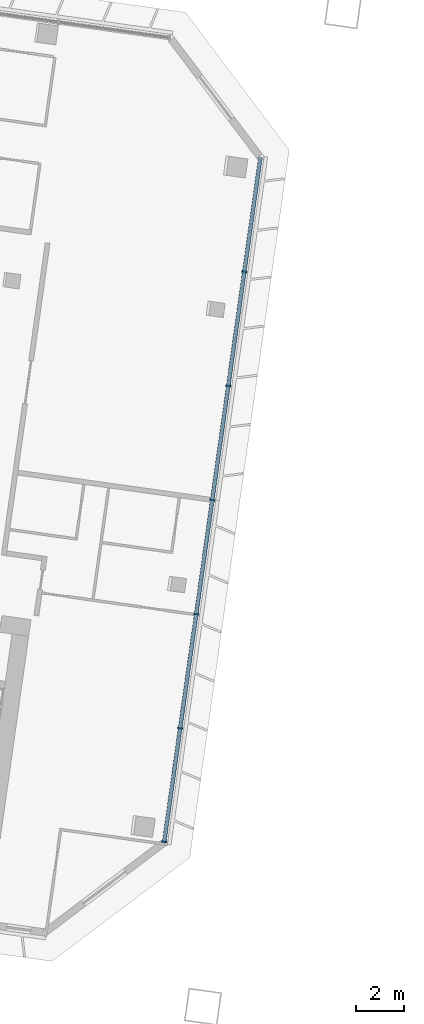
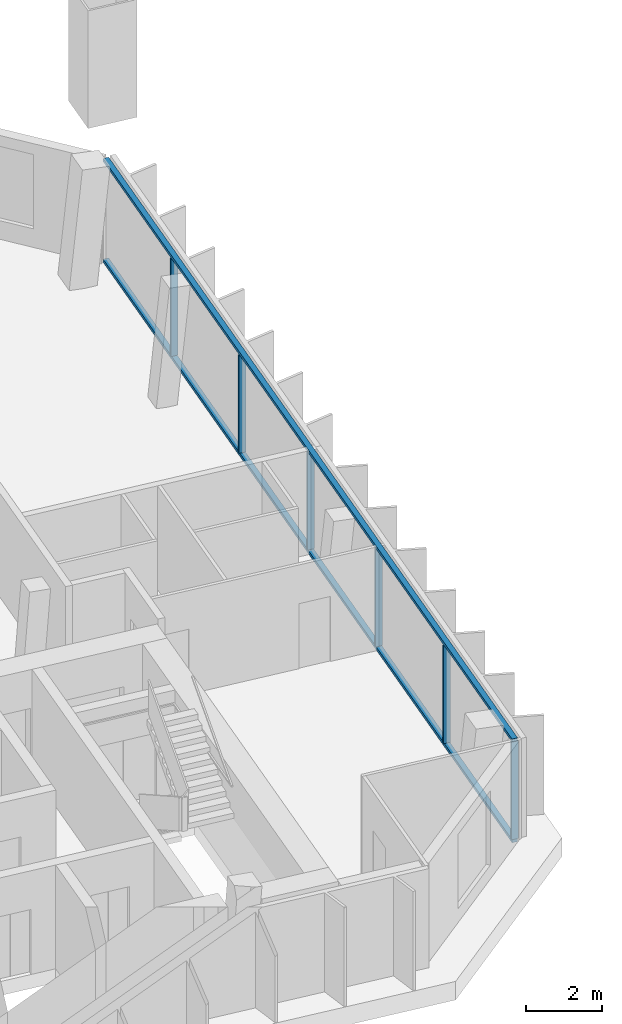
# One storey, part 3 of 23: 8 members, 1 element without a shape of its own.
"""IFC4 building model written with IfcOpenShell, lengths in metres."""

from ifc_helpers import new_model, si_unit, direction, frame, origin, origin_2d, place, context, subcontext, project, spatial, rectangle, extrude, material, material_profile, profile_set, type_object, element, aggregate, save


model = new_model("IFC4")

# Units and contexts
model_context = context("Model", 3, precision=1e-05, world=origin(), true_north=direction((0.0, 1.0)))
body_context = subcontext(model_context, "Body", "Model", "MODEL_VIEW")
ifc_project = project(units=[si_unit("LENGTHUNIT", "METRE"), si_unit("AREAUNIT", "SQUARE_METRE"), si_unit("VOLUMEUNIT", "CUBIC_METRE"), si_unit("PLANEANGLEUNIT", "RADIAN"), si_unit("MASSUNIT", "GRAM", prefix="KILO")], contexts=[model_context])

# Site, building, storey
site_placement = place(None, origin())
site = spatial("IfcSite", under=ifc_project, at=site_placement, CompositionType="ELEMENT")
building_placement = place(site_placement, origin())
building = spatial("IfcBuilding", under=site, at=building_placement, Name="Mirante Cascada Hotel Towers", CompositionType="ELEMENT")
storey_placement = place(building_placement, frame((0.0, 0.0, 195.4)))
storey = spatial("IfcBuildingStorey", under=building, at=storey_placement, Name="L46", CompositionType="ELEMENT", Elevation=195.4)

# Curtain wall, members
ifc_material_1 = material(Name="Aluminium mullion and transom frame with clear laminated glass", Category="aluminium")
curtain_wall_type = type_object("IfcCurtainWallType", Name="End ribbon curtain wall ECW2", PredefinedType="NOTDEFINED", material=ifc_material_1)
curtain_wall_placement = place(storey_placement, origin())
curtain_wall = element("IfcCurtainWall", 1, at=curtain_wall_placement, inside=storey, type_object=curtain_wall_type, Name="Inner end wall T1 L46", PredefinedType="NOTDEFINED")
ifc_material_2 = material(Name="Anodised aluminium extrusion", Category="aluminium")
ifc_material_profile_1 = material_profile(ifc_material_2, rectangle(XDim=0.2, YDim=0.065, at=origin_2d()), Name="ECW2 MULLION 65x200")
ifc_profile_set_1 = profile_set([ifc_material_profile_1], Name="Anodised aluminium extrusion")
member_type_1 = type_object("IfcMemberType", Name="ECW2 mullion 65x200", PredefinedType="MULLION", material=ifc_profile_set_1)
member_1_placement = place(storey_placement, frame((-26.5851, 7.2399, 0.1), z_axis=(0.0, 0.0, 1.0), x_axis=(0.9902681, -0.1391731, 0.0)))
member_1 = element("IfcMember", 2, at=member_1_placement, type_object=member_type_1, Name="ECW2 mullion 2", PredefinedType="MULLION", context=body_context, shape_type="SweptSolid", body=[
    extrude(rectangle(XDim=0.2, YDim=0.065, at=origin_2d()), origin(), (0.0, 0.0, 1.0), 3.15),
])
member_2_placement = place(storey_placement, frame((-27.2549, 2.4741, 0.1), z_axis=(0.0, 0.0, 1.0), x_axis=(0.9902681, -0.1391731, 0.0)))
member_2 = element("IfcMember", 3, at=member_2_placement, type_object=member_type_1, Name="ECW2 mullion 3", PredefinedType="MULLION", context=body_context, shape_type="SweptSolid", body=[
    extrude(rectangle(XDim=0.2, YDim=0.065, at=origin_2d()), origin(), (0.0, 0.0, 1.0), 3.15),
])
member_3_placement = place(storey_placement, frame((-27.9247, -2.2917, 0.1), z_axis=(0.0, 0.0, 1.0), x_axis=(0.9902681, -0.1391731, 0.0)))
member_3 = element("IfcMember", 4, at=member_3_placement, type_object=member_type_1, Name="ECW2 mullion 4", PredefinedType="MULLION", context=body_context, shape_type="SweptSolid", body=[
    extrude(rectangle(XDim=0.2, YDim=0.065, at=origin_2d()), origin(), (0.0, 0.0, 1.0), 3.15),
])
member_4_placement = place(storey_placement, frame((-28.5945, -7.0575, 0.1), z_axis=(0.0, 0.0, 1.0), x_axis=(0.9902681, -0.1391731, 0.0)))
member_4 = element("IfcMember", 5, at=member_4_placement, type_object=member_type_1, Name="ECW2 mullion 5", PredefinedType="MULLION", context=body_context, shape_type="SweptSolid", body=[
    extrude(rectangle(XDim=0.2, YDim=0.065, at=origin_2d()), origin(), (0.0, 0.0, 1.0), 3.15),
])
member_5_placement = place(storey_placement, frame((-29.2643, -11.8232, 0.1), z_axis=(0.0, 0.0, 1.0), x_axis=(0.9902681, -0.1391731, 0.0)))
member_5 = element("IfcMember", 6, at=member_5_placement, type_object=member_type_1, Name="ECW2 mullion 6", PredefinedType="MULLION", context=body_context, shape_type="SweptSolid", body=[
    extrude(rectangle(XDim=0.2, YDim=0.065, at=origin_2d()), origin(), (0.0, 0.0, 1.0), 3.15),
])
member_6_placement = place(storey_placement, frame((-29.9295, -16.5568, 0.1), z_axis=(0.0, 0.0, 1.0), x_axis=(0.9902681, -0.1391731, 0.0)))
member_6 = element("IfcMember", 7, at=member_6_placement, type_object=member_type_1, Name="ECW2 mullion 7", PredefinedType="MULLION", context=body_context, shape_type="SweptSolid", body=[
    extrude(rectangle(XDim=0.2, YDim=0.065, at=origin_2d()), origin(), (0.0, 0.0, 1.0), 3.15),
])
ifc_material_3 = material(Name="Anodised aluminium extrusion", Category="aluminium")
ifc_material_profile_2 = material_profile(ifc_material_3, rectangle(XDim=0.16, YDim=0.1, at=origin_2d()), Name="ECW2 TRANSOM 100x160")
ifc_profile_set_2 = profile_set([ifc_material_profile_2], Name="Anodised aluminium extrusion")
member_type_2 = type_object("IfcMemberType", Name="ECW2 transom 100x160", PredefinedType="USERDEFINED", material=ifc_profile_set_2)
member_7_placement = place(storey_placement, frame((-25.9153, 12.0057, 0.05), z_axis=(-0.1391723, -0.9902682, 0.0), x_axis=(0.9902682, -0.1391723, 0.0)))
member_7 = element("IfcMember", 8, at=member_7_placement, type_object=member_type_2, Name="ECW2 sill transom", ObjectType="TRANSOM", PredefinedType="USERDEFINED", context=body_context, shape_type="SweptSolid", body=[
    extrude(rectangle(XDim=0.16, YDim=0.1, at=origin_2d()), origin(), (0.0, 0.0, 1.0), 28.8757),
])
member_8_placement = place(storey_placement, frame((-25.9153, 12.0057, 3.3), z_axis=(-0.1391723, -0.9902682, 0.0), x_axis=(0.9902682, -0.1391723, 0.0)))
member_8 = element("IfcMember", 9, at=member_8_placement, type_object=member_type_2, Name="ECW2 head transom", ObjectType="TRANSOM", PredefinedType="USERDEFINED", context=body_context, shape_type="SweptSolid", body=[
    extrude(rectangle(XDim=0.16, YDim=0.1, at=origin_2d()), origin(), (0.0, 0.0, 1.0), 28.8757),
])
aggregate(curtain_wall, [member_7, member_8, member_1, member_2, member_3, member_4, member_5, member_6])

save(model, "model.ifc")
